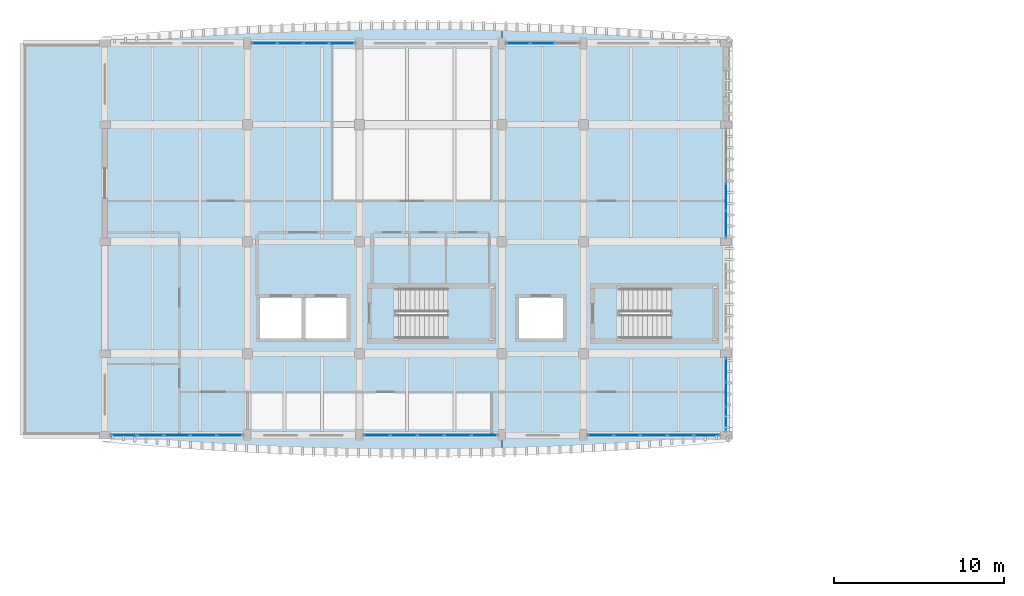
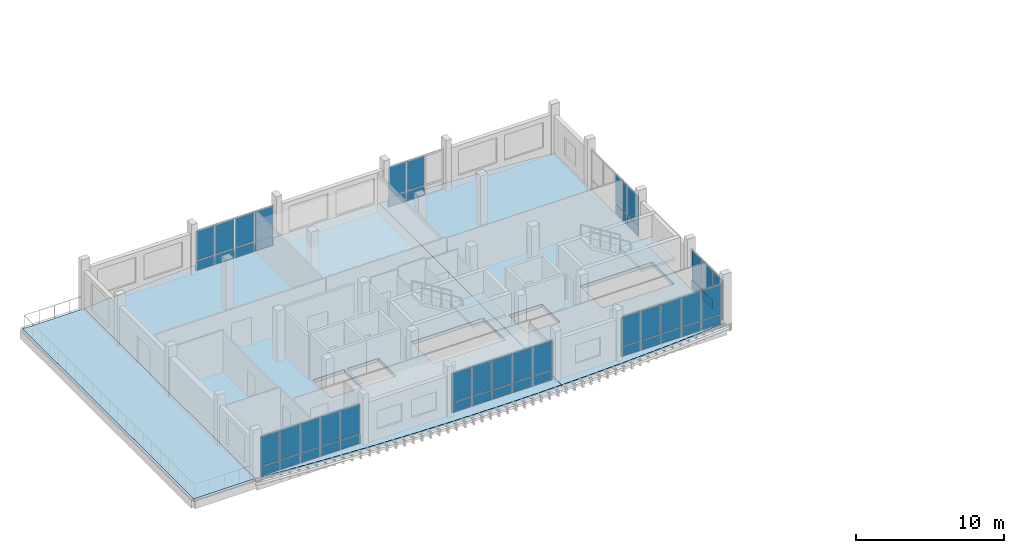
# One storey, part 7 of 20: 52 plates, 5 slabs, 9 elements without a shape of their own.
"""IFC4 building model written with IfcOpenShell, lengths in metres."""

from ifc_helpers import new_model, si_unit, direction, frame, origin, origin_2d, place, context, subcontext, project, spatial, polyline, rectangle, outline, extrude, material, layer, layer_set, type_object, element, aggregate, save


model = new_model("IFC4")

# Units and contexts
model_context = context("Model", 3, precision=1e-05, world=origin(), true_north=direction((0.0, 1.0)))
body_context = subcontext(model_context, "Body", "Model", "MODEL_VIEW")
ifc_project = project(units=[si_unit("LENGTHUNIT", "METRE"), si_unit("AREAUNIT", "SQUARE_METRE"), si_unit("VOLUMEUNIT", "CUBIC_METRE"), si_unit("PLANEANGLEUNIT", "RADIAN"), si_unit("MASSUNIT", "GRAM", prefix="KILO")], contexts=[model_context])

# Site, building, storey
site_placement = place(None, origin())
site = spatial("IfcSite", under=ifc_project, at=site_placement, CompositionType="ELEMENT")
building_placement = place(site_placement, origin())
building = spatial("IfcBuilding", under=site, at=building_placement, Name="Dornvale Research Institute", CompositionType="ELEMENT")
storey_placement = place(building_placement, frame((0.0, 0.0, 34.199951171875)))
storey = spatial("IfcBuildingStorey", under=building, at=storey_placement, Name="L07", CompositionType="ELEMENT", Elevation=34.199951171875)

# Curtain wall, plates
ifc_material_1 = material(Name="Low-E Argon Double Insulating Glazing Unit", Category="glass")
curtain_wall_type_1 = type_object("IfcCurtainWallType", Name="UnitisedCurtainWall_V5_6150x3350", PredefinedType="USERDEFINED", material=ifc_material_1)
curtain_wall_1_placement = place(storey_placement, origin())
curtain_wall_1 = element("IfcCurtainWall", 1, at=curtain_wall_1_placement, inside=storey, type_object=curtain_wall_type_1, Name="L07 V5 unitised curtain wall CW-34 #181", ObjectType="UNITISED CURTAIN WALL", PredefinedType="USERDEFINED")
ifc_material_2 = material(Name="Insulated Ceramic-Frit Spandrel Glass Panel", Category="glass")
ifc_layer_1 = layer(ifc_material_2, 0.0419921875)
ifc_layer_set_1 = layer_set([ifc_layer_1], Name="Insulated Ceramic-Frit Spandrel Glass Panel")
plate_type_1 = type_object("IfcPlateType", Name="CurtainPanel_Spandrel_42", PredefinedType="CURTAIN_PANEL", material=ifc_layer_set_1)
plate_1_placement = place(storey_placement, frame((14.2099609375, 122.10009765625, 0.065185546875), z_axis=(0.0, 0.0, 1.0), x_axis=(1.0, 0.0, 0.0)))
plate_1 = element("IfcPlate", 2, at=plate_1_placement, type_object=plate_type_1, Name="CW-34 panel 1.1", PredefinedType="CURTAIN_PANEL", context=body_context, shape_type="SweptSolid", body=[
    extrude(rectangle(XDim=1.43994140625, YDim=0.0419921875, at=origin_2d()), origin(), (0.0, 0.0, 1.0), 0.75244140625),
])
plate_2_placement = place(storey_placement, frame((15.731201171875, 122.10009765625, 0.065185546875), z_axis=(0.0, 0.0, 1.0), x_axis=(1.0, 0.0, 0.0)))
plate_2 = element("IfcPlate", 3, at=plate_2_placement, type_object=plate_type_1, Name="CW-34 panel 2.1", PredefinedType="CURTAIN_PANEL", context=body_context, shape_type="SweptSolid", body=[
    extrude(rectangle(XDim=1.472412109375, YDim=0.0419921875, at=origin_2d()), origin(), (0.0, 0.0, 1.0), 0.75244140625),
])
plate_3_placement = place(storey_placement, frame((17.268798828125, 122.10009765625, 0.065185546875), z_axis=(0.0, 0.0, 1.0), x_axis=(1.0, 0.0, 0.0)))
plate_3 = element("IfcPlate", 4, at=plate_3_placement, type_object=plate_type_1, Name="CW-34 panel 3.1", PredefinedType="CURTAIN_PANEL", context=body_context, shape_type="SweptSolid", body=[
    extrude(rectangle(XDim=1.472412109375, YDim=0.0419921875, at=origin_2d()), origin(), (0.0, 0.0, 1.0), 0.75244140625),
])
plate_4_placement = place(storey_placement, frame((18.7900390625, 122.10009765625, 0.065185546875), z_axis=(0.0, 0.0, 1.0), x_axis=(1.0, 0.0, 0.0)))
plate_4 = element("IfcPlate", 5, at=plate_4_placement, type_object=plate_type_1, Name="CW-34 panel 4.1", PredefinedType="CURTAIN_PANEL", context=body_context, shape_type="SweptSolid", body=[
    extrude(rectangle(XDim=1.43994140625, YDim=0.0419921875, at=origin_2d()), origin(), (0.0, 0.0, 1.0), 0.75244140625),
])

ifc_material_3 = material(Name="Low-E Argon Double Insulating Glazing Unit", Category="glass")
curtain_wall_type_2 = type_object("IfcCurtainWallType", Name="UnitisedCurtainWall_V5_4350x3350", PredefinedType="USERDEFINED", material=ifc_material_3)
curtain_wall_2_placement = place(storey_placement, origin())
curtain_wall_2 = element("IfcCurtainWall", 6, at=curtain_wall_2_placement, inside=storey, type_object=curtain_wall_type_2, Name="L07 V5 unitised curtain wall CW-35 #182", ObjectType="UNITISED CURTAIN WALL", PredefinedType="USERDEFINED")
plate_5_placement = place(storey_placement, frame((29.166259765625, 122.10009765625, 0.065185546875), z_axis=(0.0, 0.0, 1.0), x_axis=(1.0, 0.0, 0.0)))
plate_5 = element("IfcPlate", 7, at=plate_5_placement, type_object=plate_type_1, Name="CW-35 panel 1.1", PredefinedType="CURTAIN_PANEL", context=body_context, shape_type="SweptSolid", body=[
    extrude(rectangle(XDim=1.3525390625, YDim=0.0419921875, at=origin_2d()), origin(), (0.0, 0.0, 1.0), 0.75244140625),
])
plate_6_placement = place(storey_placement, frame((30.60009765625, 122.10009765625, 0.065185546875), z_axis=(0.0, 0.0, 1.0), x_axis=(1.0, 0.0, 0.0)))
plate_6 = element("IfcPlate", 8, at=plate_6_placement, type_object=plate_type_1, Name="CW-35 panel 2.1", PredefinedType="CURTAIN_PANEL", context=body_context, shape_type="SweptSolid", body=[
    extrude(rectangle(XDim=1.385009765625, YDim=0.0419921875, at=origin_2d()), origin(), (0.0, 0.0, 1.0), 0.75244140625),
])

ifc_material_4 = material(Name="Low-E Argon Double Insulating Glazing Unit", Category="glass")
curtain_wall_type_3 = type_object("IfcCurtainWallType", Name="UnitisedCurtainWall_V5_6450x3350", PredefinedType="USERDEFINED", material=ifc_material_4)
curtain_wall_3_placement = place(storey_placement, origin())
curtain_wall_3 = element("IfcCurtainWall", 9, at=curtain_wall_3_placement, inside=storey, type_object=curtain_wall_type_3, Name="L07 V5 unitised curtain wall CW-36 #183", ObjectType="UNITISED CURTAIN WALL", PredefinedType="USERDEFINED")
plate_7_placement = place(storey_placement, frame((41.39990234375, 113.043701171875, 0.065185546875), z_axis=(0.0, 0.0, 1.0), x_axis=(0.0, -1.0, 0.0)))
plate_7 = element("IfcPlate", 10, at=plate_7_placement, type_object=plate_type_1, Name="CW-36 panel 3.1", PredefinedType="CURTAIN_PANEL", context=body_context, shape_type="SweptSolid", body=[
    extrude(rectangle(XDim=1.547607421875, YDim=0.0419921875, at=origin_2d()), origin(), (0.0, 0.0, 1.0), 0.75244140625),
])
plate_8_placement = place(storey_placement, frame((41.39990234375, 111.447509765625, 0.065185546875), z_axis=(0.0, 0.0, 1.0), x_axis=(0.0, -1.0, 0.0)))
plate_8 = element("IfcPlate", 11, at=plate_8_placement, type_object=plate_type_1, Name="CW-36 panel 4.1", PredefinedType="CURTAIN_PANEL", context=body_context, shape_type="SweptSolid", body=[
    extrude(rectangle(XDim=1.514892578125, YDim=0.0419921875, at=origin_2d()), origin(), (0.0, 0.0, 1.0), 0.75244140625),
])

curtain_wall_4_placement = place(storey_placement, origin())
curtain_wall_4 = element("IfcCurtainWall", 12, at=curtain_wall_4_placement, inside=storey, type_object=curtain_wall_type_2, Name="L07 V5 unitised curtain wall CW-35 #184", ObjectType="UNITISED CURTAIN WALL", PredefinedType="USERDEFINED")
plate_9_placement = place(storey_placement, frame((41.39990234375, 102.833740234375, 0.065185546875), z_axis=(0.0, 0.0, 1.0), x_axis=(0.0, -1.0, 0.0)))
plate_9 = element("IfcPlate", 13, at=plate_9_placement, type_object=plate_type_1, Name="CW-35 panel 1.1", PredefinedType="CURTAIN_PANEL", context=body_context, shape_type="SweptSolid", body=[
    extrude(rectangle(XDim=1.3525390625, YDim=0.0419921875, at=origin_2d()), origin(), (0.0, 0.0, 1.0), 0.75244140625),
])
plate_10_placement = place(storey_placement, frame((41.39990234375, 101.39990234375, 0.065185546875), z_axis=(0.0, 0.0, 1.0), x_axis=(0.0, -1.0, 0.0)))
plate_10 = element("IfcPlate", 14, at=plate_10_placement, type_object=plate_type_1, Name="CW-35 panel 2.1", PredefinedType="CURTAIN_PANEL", context=body_context, shape_type="SweptSolid", body=[
    extrude(rectangle(XDim=1.385009765625, YDim=0.0419921875, at=origin_2d()), origin(), (0.0, 0.0, 1.0), 0.75244140625),
])
plate_11_placement = place(storey_placement, frame((41.39990234375, 99.96630859375, 0.065185546875), z_axis=(0.0, 0.0, 1.0), x_axis=(0.0, -1.0, 0.0)))
plate_11 = element("IfcPlate", 15, at=plate_11_placement, type_object=plate_type_1, Name="CW-35 panel 3.1", PredefinedType="CURTAIN_PANEL", context=body_context, shape_type="SweptSolid", body=[
    extrude(rectangle(XDim=1.3525390625, YDim=0.0419921875, at=origin_2d()), origin(), (0.0, 0.0, 1.0), 0.75244140625),
])

ifc_material_5 = material(Name="Low-E Argon Double Insulating Glazing Unit", Category="glass")
curtain_wall_type_4 = type_object("IfcCurtainWallType", Name="UnitisedCurtainWall_V5_7850x3350", PredefinedType="USERDEFINED", material=ifc_material_5)
curtain_wall_5_placement = place(storey_placement, origin())
curtain_wall_5 = element("IfcCurtainWall", 16, at=curtain_wall_5_placement, inside=storey, type_object=curtain_wall_type_4, Name="L07 V5 unitised curtain wall CW-37 #185", ObjectType="UNITISED CURTAIN WALL", PredefinedType="USERDEFINED")
plate_12_placement = place(storey_placement, frame((40.273681640625, 99.0, 0.065185546875), z_axis=(0.0, 0.0, 1.0), x_axis=(-1.0, 0.0, 0.0)))
plate_12 = element("IfcPlate", 17, at=plate_12_placement, type_object=plate_type_1, Name="CW-37 panel 1.1", PredefinedType="CURTAIN_PANEL", context=body_context, shape_type="SweptSolid", body=[
    extrude(rectangle(XDim=1.472412109375, YDim=0.0419921875, at=origin_2d()), origin(), (0.0, 0.0, 1.0), 0.75244140625),
])
plate_13_placement = place(storey_placement, frame((38.719970703125, 99.0, 0.065185546875), z_axis=(0.0, 0.0, 1.0), x_axis=(-1.0, 0.0, 0.0)))
plate_13 = element("IfcPlate", 18, at=plate_13_placement, type_object=plate_type_1, Name="CW-37 panel 2.1", PredefinedType="CURTAIN_PANEL", context=body_context, shape_type="SweptSolid", body=[
    extrude(rectangle(XDim=1.5048828125, YDim=0.0419921875, at=origin_2d()), origin(), (0.0, 0.0, 1.0), 0.75244140625),
])
plate_14_placement = place(storey_placement, frame((37.14990234375, 99.0, 0.065185546875), z_axis=(0.0, 0.0, 1.0), x_axis=(-1.0, 0.0, 0.0)))
plate_14 = element("IfcPlate", 19, at=plate_14_placement, type_object=plate_type_1, Name="CW-37 panel 3.1", PredefinedType="CURTAIN_PANEL", context=body_context, shape_type="SweptSolid", body=[
    extrude(rectangle(XDim=1.5048828125, YDim=0.0419921875, at=origin_2d()), origin(), (0.0, 0.0, 1.0), 0.75244140625),
])
plate_15_placement = place(storey_placement, frame((35.580078125, 99.0, 0.065185546875), z_axis=(0.0, 0.0, 1.0), x_axis=(-1.0, 0.0, 0.0)))
plate_15 = element("IfcPlate", 20, at=plate_15_placement, type_object=plate_type_1, Name="CW-37 panel 4.1", PredefinedType="CURTAIN_PANEL", context=body_context, shape_type="SweptSolid", body=[
    extrude(rectangle(XDim=1.5048828125, YDim=0.0419921875, at=origin_2d()), origin(), (0.0, 0.0, 1.0), 0.75244140625),
])
plate_16_placement = place(storey_placement, frame((34.0263671875, 99.0, 0.065185546875), z_axis=(0.0, 0.0, 1.0), x_axis=(-1.0, 0.0, 0.0)))
plate_16 = element("IfcPlate", 21, at=plate_16_placement, type_object=plate_type_1, Name="CW-37 panel 5.1", PredefinedType="CURTAIN_PANEL", context=body_context, shape_type="SweptSolid", body=[
    extrude(rectangle(XDim=1.472412109375, YDim=0.0419921875, at=origin_2d()), origin(), (0.0, 0.0, 1.0), 0.75244140625),
])

ifc_material_6 = material(Name="Low-E Argon Double Insulating Glazing Unit", Category="glass")
curtain_wall_type_5 = type_object("IfcCurtainWallType", Name="UnitisedCurtainWall_V5_7950x3350", PredefinedType="USERDEFINED", material=ifc_material_6)
curtain_wall_6_placement = place(storey_placement, origin())
curtain_wall_6 = element("IfcCurtainWall", 22, at=curtain_wall_6_placement, inside=storey, type_object=curtain_wall_type_5, Name="L07 V5 unitised curtain wall CW-38 #186", ObjectType="UNITISED CURTAIN WALL", PredefinedType="USERDEFINED")
plate_17_placement = place(storey_placement, frame((27.163818359375, 99.0, 0.065185546875), z_axis=(0.0, 0.0, 1.0), x_axis=(-1.0, 0.0, 0.0)))
plate_17 = element("IfcPlate", 23, at=plate_17_placement, type_object=plate_type_1, Name="CW-38 panel 1.1", PredefinedType="CURTAIN_PANEL", context=body_context, shape_type="SweptSolid", body=[
    extrude(rectangle(XDim=1.492431640625, YDim=0.0419921875, at=origin_2d()), origin(), (0.0, 0.0, 1.0), 0.75244140625),
])
plate_18_placement = place(storey_placement, frame((25.590087890625, 99.0, 0.065185546875), z_axis=(0.0, 0.0, 1.0), x_axis=(-1.0, 0.0, 0.0)))
plate_18 = element("IfcPlate", 24, at=plate_18_placement, type_object=plate_type_1, Name="CW-38 panel 2.1", PredefinedType="CURTAIN_PANEL", context=body_context, shape_type="SweptSolid", body=[
    extrude(rectangle(XDim=1.52490234375, YDim=0.0419921875, at=origin_2d()), origin(), (0.0, 0.0, 1.0), 0.75244140625),
])
plate_19_placement = place(storey_placement, frame((24.0, 99.0, 0.065185546875), z_axis=(0.0, 0.0, 1.0), x_axis=(-1.0, 0.0, 0.0)))
plate_19 = element("IfcPlate", 25, at=plate_19_placement, type_object=plate_type_1, Name="CW-38 panel 3.1", PredefinedType="CURTAIN_PANEL", context=body_context, shape_type="SweptSolid", body=[
    extrude(rectangle(XDim=1.52490234375, YDim=0.0419921875, at=origin_2d()), origin(), (0.0, 0.0, 1.0), 0.75244140625),
])
plate_20_placement = place(storey_placement, frame((22.409912109375, 99.0, 0.065185546875), z_axis=(0.0, 0.0, 1.0), x_axis=(-1.0, 0.0, 0.0)))
plate_20 = element("IfcPlate", 26, at=plate_20_placement, type_object=plate_type_1, Name="CW-38 panel 4.1", PredefinedType="CURTAIN_PANEL", context=body_context, shape_type="SweptSolid", body=[
    extrude(rectangle(XDim=1.52490234375, YDim=0.0419921875, at=origin_2d()), origin(), (0.0, 0.0, 1.0), 0.75244140625),
])
plate_21_placement = place(storey_placement, frame((20.836181640625, 99.0, 0.065185546875), z_axis=(0.0, 0.0, 1.0), x_axis=(-1.0, 0.0, 0.0)))
plate_21 = element("IfcPlate", 27, at=plate_21_placement, type_object=plate_type_1, Name="CW-38 panel 5.1", PredefinedType="CURTAIN_PANEL", context=body_context, shape_type="SweptSolid", body=[
    extrude(rectangle(XDim=1.492431640625, YDim=0.0419921875, at=origin_2d()), origin(), (0.0, 0.0, 1.0), 0.75244140625),
])

curtain_wall_7_placement = place(storey_placement, origin())
curtain_wall_7 = element("IfcCurtainWall", 28, at=curtain_wall_7_placement, inside=storey, type_object=curtain_wall_type_4, Name="L07 V5 unitised curtain wall CW-37 #187", ObjectType="UNITISED CURTAIN WALL", PredefinedType="USERDEFINED")
plate_22_placement = place(storey_placement, frame((12.173828125, 99.0, 0.065185546875), z_axis=(0.0, 0.0, 1.0), x_axis=(-1.0, 0.0, 0.0)))
plate_22 = element("IfcPlate", 29, at=plate_22_placement, type_object=plate_type_1, Name="CW-37 panel 1.1", PredefinedType="CURTAIN_PANEL", context=body_context, shape_type="SweptSolid", body=[
    extrude(rectangle(XDim=1.472412109375, YDim=0.0419921875, at=origin_2d()), origin(), (0.0, 0.0, 1.0), 0.75244140625),
])
plate_23_placement = place(storey_placement, frame((10.6201171875, 99.0, 0.065185546875), z_axis=(0.0, 0.0, 1.0), x_axis=(-1.0, 0.0, 0.0)))
plate_23 = element("IfcPlate", 30, at=plate_23_placement, type_object=plate_type_1, Name="CW-37 panel 2.1", PredefinedType="CURTAIN_PANEL", context=body_context, shape_type="SweptSolid", body=[
    extrude(rectangle(XDim=1.5048828125, YDim=0.0419921875, at=origin_2d()), origin(), (0.0, 0.0, 1.0), 0.75244140625),
])
plate_24_placement = place(storey_placement, frame((9.050048828125, 99.0, 0.065185546875), z_axis=(0.0, 0.0, 1.0), x_axis=(-1.0, 0.0, 0.0)))
plate_24 = element("IfcPlate", 31, at=plate_24_placement, type_object=plate_type_1, Name="CW-37 panel 3.1", PredefinedType="CURTAIN_PANEL", context=body_context, shape_type="SweptSolid", body=[
    extrude(rectangle(XDim=1.5048828125, YDim=0.0419921875, at=origin_2d()), origin(), (0.0, 0.0, 1.0), 0.75244140625),
])
plate_25_placement = place(storey_placement, frame((7.47998046875, 99.0, 0.065185546875), z_axis=(0.0, 0.0, 1.0), x_axis=(-1.0, 0.0, 0.0)))
plate_25 = element("IfcPlate", 32, at=plate_25_placement, type_object=plate_type_1, Name="CW-37 panel 4.1", PredefinedType="CURTAIN_PANEL", context=body_context, shape_type="SweptSolid", body=[
    extrude(rectangle(XDim=1.5048828125, YDim=0.0419921875, at=origin_2d()), origin(), (0.0, 0.0, 1.0), 0.75244140625),
])
plate_26_placement = place(storey_placement, frame((5.92626953125, 99.0, 0.065185546875), z_axis=(0.0, 0.0, 1.0), x_axis=(-1.0, 0.0, 0.0)))
plate_26 = element("IfcPlate", 33, at=plate_26_placement, type_object=plate_type_1, Name="CW-37 panel 5.1", PredefinedType="CURTAIN_PANEL", context=body_context, shape_type="SweptSolid", body=[
    extrude(rectangle(XDim=1.472412109375, YDim=0.0419921875, at=origin_2d()), origin(), (0.0, 0.0, 1.0), 0.75244140625),
])

# Plate
ifc_material_7 = material(Name="Low-E Argon Double Insulating Glazing Unit", Category="glass")
ifc_layer_2 = layer(ifc_material_7, 0.028076171875)
ifc_layer_set_2 = layer_set([ifc_layer_2], Name="Low-E Argon Double Insulating Glazing Unit")
plate_type_2 = type_object("IfcPlateType", Name="CurtainPanel_Vision_28", PredefinedType="CURTAIN_PANEL", material=ifc_layer_set_2)
plate_27_placement = place(storey_placement, frame((14.2099609375, 122.10009765625, 0.88232421875), z_axis=(0.0, 0.0, 1.0), x_axis=(1.0, 0.0, 0.0)))
plate_27 = element("IfcPlate", 34, at=plate_27_placement, type_object=plate_type_2, Name="CW-34 panel 1.2", PredefinedType="CURTAIN_PANEL", context=body_context, shape_type="SweptSolid", body=[
    extrude(rectangle(XDim=1.43994140625, YDim=0.028076171875, at=origin_2d()), origin(), (0.0, 0.0, 1.0), 2.402587890625),
])

plate_28_placement = place(storey_placement, frame((15.731201171875, 122.10009765625, 0.88232421875), z_axis=(0.0, 0.0, 1.0), x_axis=(1.0, 0.0, 0.0)))
plate_28 = element("IfcPlate", 35, at=plate_28_placement, type_object=plate_type_2, Name="CW-34 panel 2.2", PredefinedType="CURTAIN_PANEL", context=body_context, shape_type="SweptSolid", body=[
    extrude(rectangle(XDim=1.472412109375, YDim=0.028076171875, at=origin_2d()), origin(), (0.0, 0.0, 1.0), 2.402587890625),
])

plate_29_placement = place(storey_placement, frame((17.268798828125, 122.10009765625, 0.88232421875), z_axis=(0.0, 0.0, 1.0), x_axis=(1.0, 0.0, 0.0)))
plate_29 = element("IfcPlate", 36, at=plate_29_placement, type_object=plate_type_2, Name="CW-34 panel 3.2", PredefinedType="CURTAIN_PANEL", context=body_context, shape_type="SweptSolid", body=[
    extrude(rectangle(XDim=1.472412109375, YDim=0.028076171875, at=origin_2d()), origin(), (0.0, 0.0, 1.0), 2.402587890625),
])

plate_30_placement = place(storey_placement, frame((18.7900390625, 122.10009765625, 0.88232421875), z_axis=(0.0, 0.0, 1.0), x_axis=(1.0, 0.0, 0.0)))
plate_30 = element("IfcPlate", 37, at=plate_30_placement, type_object=plate_type_2, Name="CW-34 panel 4.2", PredefinedType="CURTAIN_PANEL", context=body_context, shape_type="SweptSolid", body=[
    extrude(rectangle(XDim=1.43994140625, YDim=0.028076171875, at=origin_2d()), origin(), (0.0, 0.0, 1.0), 2.402587890625),
])

aggregate(curtain_wall_1, [plate_1, plate_27, plate_2, plate_28, plate_3, plate_29, plate_4, plate_30])

plate_31_placement = place(storey_placement, frame((29.166259765625, 122.10009765625, 0.88232421875), z_axis=(0.0, 0.0, 1.0), x_axis=(1.0, 0.0, 0.0)))
plate_31 = element("IfcPlate", 38, at=plate_31_placement, type_object=plate_type_2, Name="CW-35 panel 1.2", PredefinedType="CURTAIN_PANEL", context=body_context, shape_type="SweptSolid", body=[
    extrude(rectangle(XDim=1.3525390625, YDim=0.028076171875, at=origin_2d()), origin(), (0.0, 0.0, 1.0), 2.402587890625),
])

plate_32_placement = place(storey_placement, frame((30.60009765625, 122.10009765625, 0.88232421875), z_axis=(0.0, 0.0, 1.0), x_axis=(1.0, 0.0, 0.0)))
plate_32 = element("IfcPlate", 39, at=plate_32_placement, type_object=plate_type_2, Name="CW-35 panel 2.2", PredefinedType="CURTAIN_PANEL", context=body_context, shape_type="SweptSolid", body=[
    extrude(rectangle(XDim=1.385009765625, YDim=0.028076171875, at=origin_2d()), origin(), (0.0, 0.0, 1.0), 2.402587890625),
])

aggregate(curtain_wall_2, [plate_5, plate_31, plate_6, plate_32])

plate_33_placement = place(storey_placement, frame((41.39990234375, 113.043701171875, 0.88232421875), z_axis=(0.0, 0.0, 1.0), x_axis=(0.0, -1.0, 0.0)))
plate_33 = element("IfcPlate", 40, at=plate_33_placement, type_object=plate_type_2, Name="CW-36 panel 3.2", PredefinedType="CURTAIN_PANEL", context=body_context, shape_type="SweptSolid", body=[
    extrude(rectangle(XDim=1.547607421875, YDim=0.028076171875, at=origin_2d()), origin(), (0.0, 0.0, 1.0), 2.402587890625),
])

plate_34_placement = place(storey_placement, frame((41.39990234375, 111.447509765625, 0.88232421875), z_axis=(0.0, 0.0, 1.0), x_axis=(0.0, -1.0, 0.0)))
plate_34 = element("IfcPlate", 41, at=plate_34_placement, type_object=plate_type_2, Name="CW-36 panel 4.2", PredefinedType="CURTAIN_PANEL", context=body_context, shape_type="SweptSolid", body=[
    extrude(rectangle(XDim=1.514892578125, YDim=0.028076171875, at=origin_2d()), origin(), (0.0, 0.0, 1.0), 2.402587890625),
])

aggregate(curtain_wall_3, [plate_7, plate_33, plate_8, plate_34])

plate_35_placement = place(storey_placement, frame((41.39990234375, 102.833740234375, 0.88232421875), z_axis=(0.0, 0.0, 1.0), x_axis=(0.0, -1.0, 0.0)))
plate_35 = element("IfcPlate", 42, at=plate_35_placement, type_object=plate_type_2, Name="CW-35 panel 1.2", PredefinedType="CURTAIN_PANEL", context=body_context, shape_type="SweptSolid", body=[
    extrude(rectangle(XDim=1.3525390625, YDim=0.028076171875, at=origin_2d()), origin(), (0.0, 0.0, 1.0), 2.402587890625),
])

plate_36_placement = place(storey_placement, frame((41.39990234375, 101.39990234375, 0.88232421875), z_axis=(0.0, 0.0, 1.0), x_axis=(0.0, -1.0, 0.0)))
plate_36 = element("IfcPlate", 43, at=plate_36_placement, type_object=plate_type_2, Name="CW-35 panel 2.2", PredefinedType="CURTAIN_PANEL", context=body_context, shape_type="SweptSolid", body=[
    extrude(rectangle(XDim=1.385009765625, YDim=0.028076171875, at=origin_2d()), origin(), (0.0, 0.0, 1.0), 2.402587890625),
])

plate_37_placement = place(storey_placement, frame((41.39990234375, 99.96630859375, 0.88232421875), z_axis=(0.0, 0.0, 1.0), x_axis=(0.0, -1.0, 0.0)))
plate_37 = element("IfcPlate", 44, at=plate_37_placement, type_object=plate_type_2, Name="CW-35 panel 3.2", PredefinedType="CURTAIN_PANEL", context=body_context, shape_type="SweptSolid", body=[
    extrude(rectangle(XDim=1.3525390625, YDim=0.028076171875, at=origin_2d()), origin(), (0.0, 0.0, 1.0), 2.402587890625),
])

aggregate(curtain_wall_4, [plate_9, plate_35, plate_10, plate_36, plate_11, plate_37])

plate_38_placement = place(storey_placement, frame((40.273681640625, 99.0, 0.88232421875), z_axis=(0.0, 0.0, 1.0), x_axis=(-1.0, 0.0, 0.0)))
plate_38 = element("IfcPlate", 45, at=plate_38_placement, type_object=plate_type_2, Name="CW-37 panel 1.2", PredefinedType="CURTAIN_PANEL", context=body_context, shape_type="SweptSolid", body=[
    extrude(rectangle(XDim=1.472412109375, YDim=0.028076171875, at=origin_2d()), origin(), (0.0, 0.0, 1.0), 2.402587890625),
])

plate_39_placement = place(storey_placement, frame((38.719970703125, 99.0, 0.88232421875), z_axis=(0.0, 0.0, 1.0), x_axis=(-1.0, 0.0, 0.0)))
plate_39 = element("IfcPlate", 46, at=plate_39_placement, type_object=plate_type_2, Name="CW-37 panel 2.2", PredefinedType="CURTAIN_PANEL", context=body_context, shape_type="SweptSolid", body=[
    extrude(rectangle(XDim=1.5048828125, YDim=0.028076171875, at=origin_2d()), origin(), (0.0, 0.0, 1.0), 2.402587890625),
])

plate_40_placement = place(storey_placement, frame((37.14990234375, 99.0, 0.88232421875), z_axis=(0.0, 0.0, 1.0), x_axis=(-1.0, 0.0, 0.0)))
plate_40 = element("IfcPlate", 47, at=plate_40_placement, type_object=plate_type_2, Name="CW-37 panel 3.2", PredefinedType="CURTAIN_PANEL", context=body_context, shape_type="SweptSolid", body=[
    extrude(rectangle(XDim=1.5048828125, YDim=0.028076171875, at=origin_2d()), origin(), (0.0, 0.0, 1.0), 2.402587890625),
])

plate_41_placement = place(storey_placement, frame((35.580078125, 99.0, 0.88232421875), z_axis=(0.0, 0.0, 1.0), x_axis=(-1.0, 0.0, 0.0)))
plate_41 = element("IfcPlate", 48, at=plate_41_placement, type_object=plate_type_2, Name="CW-37 panel 4.2", PredefinedType="CURTAIN_PANEL", context=body_context, shape_type="SweptSolid", body=[
    extrude(rectangle(XDim=1.5048828125, YDim=0.028076171875, at=origin_2d()), origin(), (0.0, 0.0, 1.0), 2.402587890625),
])

plate_42_placement = place(storey_placement, frame((34.0263671875, 99.0, 0.88232421875), z_axis=(0.0, 0.0, 1.0), x_axis=(-1.0, 0.0, 0.0)))
plate_42 = element("IfcPlate", 49, at=plate_42_placement, type_object=plate_type_2, Name="CW-37 panel 5.2", PredefinedType="CURTAIN_PANEL", context=body_context, shape_type="SweptSolid", body=[
    extrude(rectangle(XDim=1.472412109375, YDim=0.028076171875, at=origin_2d()), origin(), (0.0, 0.0, 1.0), 2.402587890625),
])

aggregate(curtain_wall_5, [plate_12, plate_38, plate_13, plate_39, plate_14, plate_40, plate_15, plate_41, plate_16, plate_42])

plate_43_placement = place(storey_placement, frame((27.163818359375, 99.0, 0.88232421875), z_axis=(0.0, 0.0, 1.0), x_axis=(-1.0, 0.0, 0.0)))
plate_43 = element("IfcPlate", 50, at=plate_43_placement, type_object=plate_type_2, Name="CW-38 panel 1.2", PredefinedType="CURTAIN_PANEL", context=body_context, shape_type="SweptSolid", body=[
    extrude(rectangle(XDim=1.492431640625, YDim=0.028076171875, at=origin_2d()), origin(), (0.0, 0.0, 1.0), 2.402587890625),
])

plate_44_placement = place(storey_placement, frame((25.590087890625, 99.0, 0.88232421875), z_axis=(0.0, 0.0, 1.0), x_axis=(-1.0, 0.0, 0.0)))
plate_44 = element("IfcPlate", 51, at=plate_44_placement, type_object=plate_type_2, Name="CW-38 panel 2.2", PredefinedType="CURTAIN_PANEL", context=body_context, shape_type="SweptSolid", body=[
    extrude(rectangle(XDim=1.52490234375, YDim=0.028076171875, at=origin_2d()), origin(), (0.0, 0.0, 1.0), 2.402587890625),
])

plate_45_placement = place(storey_placement, frame((24.0, 99.0, 0.88232421875), z_axis=(0.0, 0.0, 1.0), x_axis=(-1.0, 0.0, 0.0)))
plate_45 = element("IfcPlate", 52, at=plate_45_placement, type_object=plate_type_2, Name="CW-38 panel 3.2", PredefinedType="CURTAIN_PANEL", context=body_context, shape_type="SweptSolid", body=[
    extrude(rectangle(XDim=1.52490234375, YDim=0.028076171875, at=origin_2d()), origin(), (0.0, 0.0, 1.0), 2.402587890625),
])

plate_46_placement = place(storey_placement, frame((22.409912109375, 99.0, 0.88232421875), z_axis=(0.0, 0.0, 1.0), x_axis=(-1.0, 0.0, 0.0)))
plate_46 = element("IfcPlate", 53, at=plate_46_placement, type_object=plate_type_2, Name="CW-38 panel 4.2", PredefinedType="CURTAIN_PANEL", context=body_context, shape_type="SweptSolid", body=[
    extrude(rectangle(XDim=1.52490234375, YDim=0.028076171875, at=origin_2d()), origin(), (0.0, 0.0, 1.0), 2.402587890625),
])

plate_47_placement = place(storey_placement, frame((20.836181640625, 99.0, 0.88232421875), z_axis=(0.0, 0.0, 1.0), x_axis=(-1.0, 0.0, 0.0)))
plate_47 = element("IfcPlate", 54, at=plate_47_placement, type_object=plate_type_2, Name="CW-38 panel 5.2", PredefinedType="CURTAIN_PANEL", context=body_context, shape_type="SweptSolid", body=[
    extrude(rectangle(XDim=1.492431640625, YDim=0.028076171875, at=origin_2d()), origin(), (0.0, 0.0, 1.0), 2.402587890625),
])

aggregate(curtain_wall_6, [plate_17, plate_43, plate_18, plate_44, plate_19, plate_45, plate_20, plate_46, plate_21, plate_47])

plate_48_placement = place(storey_placement, frame((12.173828125, 99.0, 0.88232421875), z_axis=(0.0, 0.0, 1.0), x_axis=(-1.0, 0.0, 0.0)))
plate_48 = element("IfcPlate", 55, at=plate_48_placement, type_object=plate_type_2, Name="CW-37 panel 1.2", PredefinedType="CURTAIN_PANEL", context=body_context, shape_type="SweptSolid", body=[
    extrude(rectangle(XDim=1.472412109375, YDim=0.028076171875, at=origin_2d()), origin(), (0.0, 0.0, 1.0), 2.402587890625),
])

plate_49_placement = place(storey_placement, frame((10.6201171875, 99.0, 0.88232421875), z_axis=(0.0, 0.0, 1.0), x_axis=(-1.0, 0.0, 0.0)))
plate_49 = element("IfcPlate", 56, at=plate_49_placement, type_object=plate_type_2, Name="CW-37 panel 2.2", PredefinedType="CURTAIN_PANEL", context=body_context, shape_type="SweptSolid", body=[
    extrude(rectangle(XDim=1.5048828125, YDim=0.028076171875, at=origin_2d()), origin(), (0.0, 0.0, 1.0), 2.402587890625),
])

plate_50_placement = place(storey_placement, frame((9.050048828125, 99.0, 0.88232421875), z_axis=(0.0, 0.0, 1.0), x_axis=(-1.0, 0.0, 0.0)))
plate_50 = element("IfcPlate", 57, at=plate_50_placement, type_object=plate_type_2, Name="CW-37 panel 3.2", PredefinedType="CURTAIN_PANEL", context=body_context, shape_type="SweptSolid", body=[
    extrude(rectangle(XDim=1.5048828125, YDim=0.028076171875, at=origin_2d()), origin(), (0.0, 0.0, 1.0), 2.402587890625),
])

plate_51_placement = place(storey_placement, frame((7.47998046875, 99.0, 0.88232421875), z_axis=(0.0, 0.0, 1.0), x_axis=(-1.0, 0.0, 0.0)))
plate_51 = element("IfcPlate", 58, at=plate_51_placement, type_object=plate_type_2, Name="CW-37 panel 4.2", PredefinedType="CURTAIN_PANEL", context=body_context, shape_type="SweptSolid", body=[
    extrude(rectangle(XDim=1.5048828125, YDim=0.028076171875, at=origin_2d()), origin(), (0.0, 0.0, 1.0), 2.402587890625),
])

plate_52_placement = place(storey_placement, frame((5.92626953125, 99.0, 0.88232421875), z_axis=(0.0, 0.0, 1.0), x_axis=(-1.0, 0.0, 0.0)))
plate_52 = element("IfcPlate", 59, at=plate_52_placement, type_object=plate_type_2, Name="CW-37 panel 5.2", PredefinedType="CURTAIN_PANEL", context=body_context, shape_type="SweptSolid", body=[
    extrude(rectangle(XDim=1.472412109375, YDim=0.028076171875, at=origin_2d()), origin(), (0.0, 0.0, 1.0), 2.402587890625),
])

aggregate(curtain_wall_7, [plate_22, plate_48, plate_23, plate_49, plate_24, plate_50, plate_25, plate_51, plate_26, plate_52])

# Slabs
ifc_material_8 = material(Name="Concrete f'c 45 MPa (C35/45)", Category="concrete")
ifc_layer_3 = layer(ifc_material_8, 0.25)
ifc_layer_set_3 = layer_set([ifc_layer_3], Name="Concrete f'c 45 MPa (C35/45)")
slab_type_1 = type_object("IfcSlabType", Name="FloorSlab_Terrace_250_Ext", PredefinedType="FLOOR", material=ifc_layer_set_3)
slab_1_placement = place(storey_placement, frame((0.0, 0.0, -0.25)))
element("IfcSlab", 60, at=slab_1_placement, inside=storey, type_object=slab_type_1, Name="L07 planted research terrace slab TER-V5-L07", PredefinedType="FLOOR", context=body_context, shape_type="SweptSolid", body=[
    extrude(outline(polyline([(0.0, 99.0), (4.800048828125, 99.0), (4.800048828125, 122.10009765625), (0.0, 122.10009765625), (0.0, 99.0)])), origin(), (0.0, 0.0, 1.0), 0.25),
])
ifc_material_9 = material(Name="Concrete f'c 45 MPa (C35/45)", Category="concrete")
ifc_layer_4 = layer(ifc_material_9, 0.280029296875)
ifc_layer_set_4 = layer_set([ifc_layer_4], Name="Concrete f'c 45 MPa (C35/45)")
slab_type_2 = type_object("IfcSlabType", Name="FloorSlab_Upper_280", PredefinedType="FLOOR", material=ifc_layer_set_4)
slab_2_placement = place(storey_placement, frame((0.0, 0.0, -0.280029296875)))
element("IfcSlab", 61, at=slab_2_placement, inside=storey, type_object=slab_type_2, Name="L07 V5 W floor slab", PredefinedType="FLOOR", context=body_context, shape_type="SweptSolid", body=[
    extrude(outline(polyline([(28.0908203125, 98.213134765625), (26.42724609375, 98.177978515625), (24.763671875, 98.156982421875), (23.10009765625, 98.14990234375), (21.436279296875, 98.156982421875), (19.772705078125, 98.177978515625), (18.109130859375, 98.213134765625), (16.445556640625, 98.262451171875), (14.78173828125, 98.32568359375), (13.1181640625, 98.40283203125), (11.45458984375, 98.494140625), (9.791015625, 98.599609375), (8.127197265625, 98.718994140625), (6.463623046875, 98.8525390625), (4.800048828125, 99.0), (4.800048828125, 122.10009765625), (6.463623046875, 122.24755859375), (8.127197265625, 122.381103515625), (9.791015625, 122.50048828125), (11.45458984375, 122.605712890625), (13.1181640625, 122.697021484375), (14.78173828125, 122.7744140625), (16.445556640625, 122.837646484375), (18.109130859375, 122.88671875), (19.772705078125, 122.921875), (21.436279296875, 122.943115234375), (23.10009765625, 122.949951171875), (24.763671875, 122.943115234375), (26.42724609375, 122.921875), (28.0908203125, 122.88671875), (28.199951171875, 122.883544921875), (28.199951171875, 98.21630859375), (28.0908203125, 98.213134765625)]), holes=[polyline([(21.949951171875, 104.699951171875), (27.550048828125, 104.699951171875), (27.550048828125, 107.659912109375), (21.949951171875, 107.659912109375), (21.949951171875, 104.699951171875)]), polyline([(13.949951171875, 104.699951171875), (16.39990234375, 104.699951171875), (16.39990234375, 107.10009765625), (13.949951171875, 107.10009765625), (13.949951171875, 104.699951171875)]), polyline([(16.60009765625, 104.699951171875), (19.050048828125, 104.699951171875), (19.050048828125, 107.10009765625), (16.60009765625, 107.10009765625), (16.60009765625, 104.699951171875)])]), origin(), (0.0, 0.0, 1.0), 0.280029296875),
])
slab_3_placement = place(storey_placement, frame((0.0, 0.0, -0.280029296875)))
element("IfcSlab", 62, at=slab_3_placement, inside=storey, type_object=slab_type_2, Name="L07 V5 E floor slab", PredefinedType="FLOOR", context=body_context, shape_type="SweptSolid", body=[
    extrude(outline(polyline([(29.75439453125, 122.837646484375), (31.418212890625, 122.7744140625), (33.081787109375, 122.697021484375), (34.74560546875, 122.605712890625), (36.4091796875, 122.50048828125), (38.07275390625, 122.381103515625), (39.736328125, 122.24755859375), (41.39990234375, 122.10009765625), (41.39990234375, 99.0), (39.736328125, 98.8525390625), (38.07275390625, 98.718994140625), (36.4091796875, 98.599609375), (34.74560546875, 98.494140625), (33.081787109375, 98.40283203125), (31.418212890625, 98.32568359375), (29.75439453125, 98.262451171875), (28.199951171875, 98.21630859375), (28.199951171875, 122.883544921875), (29.75439453125, 122.837646484375)]), holes=[polyline([(35.10009765625, 104.699951171875), (40.699951171875, 104.699951171875), (40.699951171875, 107.659912109375), (35.10009765625, 107.659912109375), (35.10009765625, 104.699951171875)]), polyline([(29.199951171875, 104.699951171875), (31.800048828125, 104.699951171875), (31.800048828125, 107.10009765625), (29.199951171875, 107.10009765625), (29.199951171875, 104.699951171875)])]), origin(), (0.0, 0.0, 1.0), 0.280029296875),
])

# Stair, slab
ifc_material_10 = material(Name="Concrete f'c 45 MPa (C35/45)", Category="concrete")
stair_type = type_object("IfcStairType", Name="HalfTurnStair_RC", PredefinedType="HALF_TURN_STAIR", material=ifc_material_10)
stair_1_placement = place(storey_placement, origin())
stair_1 = element("IfcStair", 63, at=stair_1_placement, inside=storey, type_object=stair_type, Name="L07 Exit stair ST-1", PredefinedType="HALF_TURN_STAIR")
ifc_material_11 = material(Name="Concrete f'c 45 MPa (C35/45)", Category="concrete")
ifc_layer_5 = layer(ifc_material_11, 0.199951171875)
ifc_layer_set_5 = layer_set([ifc_layer_5], Name="Concrete f'c 45 MPa (C35/45)")
slab_type_3 = type_object("IfcSlabType", Name="Landing_Stair_200", PredefinedType="LANDING", material=ifc_layer_set_5)
slab_4_placement = place(storey_placement, frame((0.0, 0.0, 1.900146484375)))
slab_4 = element("IfcSlab", 64, at=slab_4_placement, type_object=slab_type_3, Name="ST-1 landing 1", PredefinedType="LANDING", context=body_context, shape_type="SweptSolid", body=[
    extrude(outline(polyline([(25.0, 104.669921875), (25.0, 107.68994140625), (27.580078125, 107.68994140625), (27.580078125, 104.669921875), (25.0, 104.669921875)])), origin(), (0.0, 0.0, 1.0), 0.199951171875),
])
aggregate(stair_1, [slab_4])

stair_2_placement = place(storey_placement, origin())
stair_2 = element("IfcStair", 65, at=stair_2_placement, inside=storey, type_object=stair_type, Name="L07 Exit stair ST-2", PredefinedType="HALF_TURN_STAIR")
slab_5_placement = place(storey_placement, frame((0.0, 0.0, 1.900146484375)))
slab_5 = element("IfcSlab", 66, at=slab_5_placement, type_object=slab_type_3, Name="ST-2 landing 1", PredefinedType="LANDING", context=body_context, shape_type="SweptSolid", body=[
    extrude(outline(polyline([(38.14990234375, 104.669921875), (38.14990234375, 107.68994140625), (40.72998046875, 107.68994140625), (40.72998046875, 104.669921875), (38.14990234375, 104.669921875)])), origin(), (0.0, 0.0, 1.0), 0.199951171875),
])
aggregate(stair_2, [slab_5])

save(model, "model.ifc")
